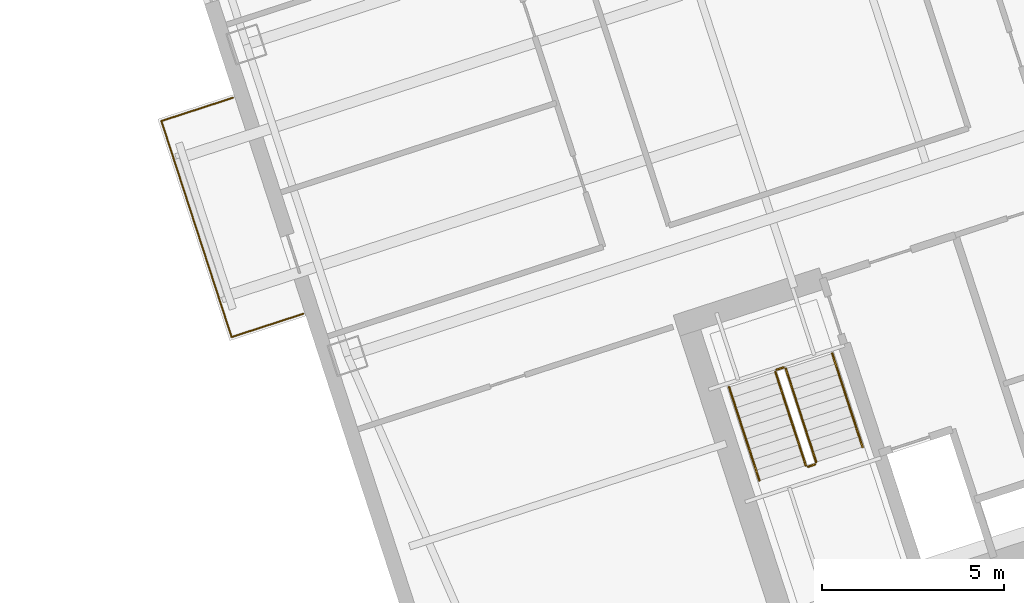
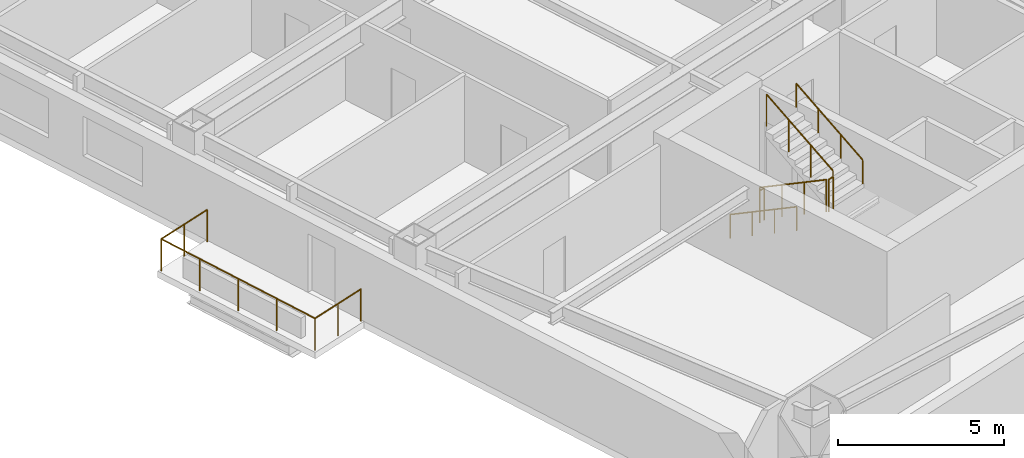
# One storey, part 13 of 14: 7 railings.
"""IFC4 building model written with IfcOpenShell, lengths in metres."""

from ifc_helpers import new_model, si_unit, direction, frame, origin, origin_2d, place, context, subcontext, project, spatial, circle, extrude, material, type_object, element, save


model = new_model("IFC4")

# Units and contexts
model_context = context("Model", 3, precision=1e-05, world=origin(), true_north=direction((0.0, 1.0)))
body_context = subcontext(model_context, "Body", "Model", "MODEL_VIEW")
ifc_project = project(units=[si_unit("LENGTHUNIT", "METRE"), si_unit("AREAUNIT", "SQUARE_METRE"), si_unit("VOLUMEUNIT", "CUBIC_METRE"), si_unit("PLANEANGLEUNIT", "RADIAN"), si_unit("MASSUNIT", "GRAM", prefix="KILO")], contexts=[model_context])

# Site, building, storey
site_placement = place(None, origin())
site = spatial("IfcSite", under=ifc_project, at=site_placement, CompositionType="ELEMENT")
building_placement = place(site_placement, origin())
building = spatial("IfcBuilding", under=site, at=building_placement, Name="Qiaolan Cultural Towers", CompositionType="ELEMENT")
storey_placement = place(building_placement, frame((0.0, 0.0, 103.5)))
storey = spatial("IfcBuildingStorey", under=building, at=storey_placement, Name="L26", CompositionType="ELEMENT", Elevation=103.5)

# Railings
ifc_material_1 = material(Name="Laminated SentryGlas & Stainless Steel S31608 Balustrade", Category="steel")
railing_type_1 = type_object("IfcRailingType", Name="GRD-TERR-1200", PredefinedType="BALUSTRADE", material=ifc_material_1)
railing_1_placement = place(storey_placement, frame((75.6328125, 21.4248046875, 0.0)))
element("IfcRailing", 1, at=railing_1_placement, inside=storey, type_object=railing_type_1, Name="L26 T2 Tree Balcony Guardrail W", PredefinedType="BALUSTRADE", context=body_context, shape_type="SweptSolid", body=[
    extrude(circle(Radius=0.02392578125, at=origin_2d()), frame((0.0, 0.0, 1.17578125), z_axis=(-0.951061799618, -0.309000733507, 0.0), x_axis=(0.309000733507, -0.951061799618, 0.0)), (0.0, 0.0, 1.0), 2.070068359375),
    extrude(circle(Radius=0.02392578125, at=origin_2d()), frame((-1.96875, -0.6396484375, 1.17578125), z_axis=(-0.30901175762, 0.951058217804, 0.0), x_axis=(-0.951058217804, -0.30901175762, 0.0)), (0.0, 0.0, 1.0), 6.239990234375),
    extrude(circle(Radius=0.02392578125, at=origin_2d()), frame((-3.89697265625, 5.294921875, 1.17578125), z_axis=(0.951061799618, 0.309000733507, 0.0), x_axis=(-0.309000733507, 0.951061799618, 0.0)), (0.0, 0.0, 1.0), 2.070068359375),
    extrude(circle(Radius=0.02099609375, at=origin_2d()), origin(), (0.0, 0.0, 1.0), 1.15185546875),
    extrude(circle(Radius=0.02099609375, at=origin_2d()), frame((-0.984375, -0.31982421875, 0.0)), (0.0, 0.0, 1.0), 1.15185546875),
    extrude(circle(Radius=0.02099609375, at=origin_2d()), frame((-1.96875, -0.6396484375, 0.0)), (0.0, 0.0, 1.0), 1.15185546875),
    extrude(circle(Radius=0.02099609375, at=origin_2d()), frame((-2.45068359375, 0.843994140625, 0.0)), (0.0, 0.0, 1.0), 1.15185546875),
    extrude(circle(Radius=0.02099609375, at=origin_2d()), frame((-2.932861328125, 2.32763671875, 0.0)), (0.0, 0.0, 1.0), 1.15185546875),
    extrude(circle(Radius=0.02099609375, at=origin_2d()), frame((-3.4150390625, 3.811279296875, 0.0)), (0.0, 0.0, 1.0), 1.15185546875),
    extrude(circle(Radius=0.02099609375, at=origin_2d()), frame((-3.89697265625, 5.294921875, 0.0)), (0.0, 0.0, 1.0), 1.15185546875),
    extrude(circle(Radius=0.02099609375, at=origin_2d()), frame((-2.91259765625, 5.61474609375, 0.0)), (0.0, 0.0, 1.0), 1.15185546875),
    extrude(circle(Radius=0.02099609375, at=origin_2d()), frame((-1.92822265625, 5.9345703125, 0.0)), (0.0, 0.0, 1.0), 1.15185546875),
])
ifc_material_2 = material(Name="Galvanized Painted Steel Stair Guardrail", Category="steel")
railing_type_2 = type_object("IfcRailingType", Name="RL-STAIR-GRD", PredefinedType="GUARDRAIL", material=ifc_material_2)
railing_2_placement = place(storey_placement, frame((88.60205078125, 19.82421875, 0.172607421875)))
element("IfcRailing", 2, at=railing_2_placement, inside=storey, type_object=railing_type_2, Name="L26 ST-E1 stair guard 1", PredefinedType="GUARDRAIL", context=body_context, shape_type="SweptSolid", body=[
    extrude(circle(Radius=0.02392578125, at=origin_2d()), frame((0.0, 0.0, 1.17578125), z_axis=(0.267925668498, -0.824471088726, 0.498460891159), x_axis=(0.951043371037, 0.309057448393, 0.0)), (0.0, 0.0, 1.0), 3.114501953125),
    extrude(circle(Radius=0.02099609375, at=origin_2d()), origin(), (0.0, 0.0, 1.0), 1.15185546875),
    extrude(circle(Radius=0.02099609375, at=origin_2d()), frame((0.278076171875, -0.85595703125, 0.517578125)), (0.0, 0.0, 1.0), 1.15185546875),
    extrude(circle(Radius=0.02099609375, at=origin_2d()), frame((0.556396484375, -1.7119140625, 1.034912109375)), (0.0, 0.0, 1.0), 1.15185546875),
    extrude(circle(Radius=0.02099609375, at=origin_2d()), frame((0.83447265625, -2.56787109375, 1.552490234375)), (0.0, 0.0, 1.0), 1.15185546875),
])
railing_3_placement = place(storey_placement, frame((89.49951171875, 17.224365234375, 1.72509765625)))
element("IfcRailing", 3, at=railing_3_placement, inside=storey, type_object=railing_type_2, Name="L26 ST-E1 stair guard 2", PredefinedType="GUARDRAIL", context=body_context, shape_type="SweptSolid", body=[
    extrude(circle(Radius=0.02392578125, at=origin_2d()), frame((0.0, 0.0, 1.17578125), z_axis=(0.951096855055, 0.308892816854, 0.0), x_axis=(-0.308892816854, 0.951096855055, 0.0)), (0.0, 0.0, 1.0), 0.199951171875),
    extrude(circle(Radius=0.02099609375, at=origin_2d()), origin(), (0.0, 0.0, 1.0), 1.15185546875),
    extrude(circle(Radius=0.02099609375, at=origin_2d()), frame((0.190185546875, 0.061767578125, 0.0)), (0.0, 0.0, 1.0), 1.15185546875),
])
railing_4_placement = place(storey_placement, frame((89.721923828125, 17.34912109375, 1.8974609375)))
element("IfcRailing", 4, at=railing_4_placement, inside=storey, type_object=railing_type_2, Name="L26 ST-E1 stair guard 3", PredefinedType="GUARDRAIL", context=body_context, shape_type="SweptSolid", body=[
    extrude(circle(Radius=0.02392578125, at=origin_2d()), frame((0.0, 0.0, 1.17578125), z_axis=(-0.267925668498, 0.824471088726, 0.498460891159), x_axis=(-0.951043371037, -0.309057448393, 0.0)), (0.0, 0.0, 1.0), 3.114501953125),
    extrude(circle(Radius=0.02099609375, at=origin_2d()), origin(), (0.0, 0.0, 1.0), 1.15185546875),
    extrude(circle(Radius=0.02099609375, at=origin_2d()), frame((-0.278076171875, 0.85595703125, 0.517578125)), (0.0, 0.0, 1.0), 1.15185546875),
    extrude(circle(Radius=0.02099609375, at=origin_2d()), frame((-0.556396484375, 1.7119140625, 1.034912109375)), (0.0, 0.0, 1.0), 1.15185546875),
    extrude(circle(Radius=0.02099609375, at=origin_2d()), frame((-0.83447265625, 2.56787109375, 1.552490234375)), (0.0, 0.0, 1.0), 1.15185546875),
])
railing_5_placement = place(storey_placement, frame((88.63427734375, 19.88720703125, 0.0)))
element("IfcRailing", 5, at=railing_5_placement, inside=storey, type_object=railing_type_2, Name="L26 ST-E1 stair guard 4", PredefinedType="GUARDRAIL", context=body_context, shape_type="SweptSolid", body=[
    extrude(circle(Radius=0.02392578125, at=origin_2d()), frame((0.0, 0.0, 1.17578125), z_axis=(0.951096855055, 0.308892816854, 0.0), x_axis=(-0.308892816854, 0.951096855055, 0.0)), (0.0, 0.0, 1.0), 0.199951171875),
    extrude(circle(Radius=0.02099609375, at=origin_2d()), origin(), (0.0, 0.0, 1.0), 1.15185546875),
    extrude(circle(Radius=0.02099609375, at=origin_2d()), frame((0.190185546875, 0.061767578125, 0.0)), (0.0, 0.0, 1.0), 1.15185546875),
])
ifc_material_3 = material(Name="Stainless Steel S30408 Tubular Handrail", Category="steel")
railing_type_3 = type_object("IfcRailingType", Name="RL-STAIR-HR", PredefinedType="HANDRAIL", material=ifc_material_3)
railing_6_placement = place(storey_placement, frame((87.32763671875, 19.41015625, 0.172607421875)))
element("IfcRailing", 6, at=railing_6_placement, inside=storey, type_object=railing_type_3, Name="L26 ST-E1 stair handrail 1", PredefinedType="HANDRAIL", context=body_context, shape_type="SweptSolid", body=[
    extrude(circle(Radius=0.02392578125, at=origin_2d()), frame((0.0, 0.0, 0.8759765625), z_axis=(0.267925668498, -0.824471088726, 0.498460891159), x_axis=(0.951043371037, 0.309057448393, 0.0)), (0.0, 0.0, 1.0), 3.114501953125),
    extrude(circle(Radius=0.02099609375, at=origin_2d()), origin(), (0.0, 0.0, 1.0), 0.851806640625),
    extrude(circle(Radius=0.02099609375, at=origin_2d()), frame((0.278076171875, -0.85595703125, 0.517578125)), (0.0, 0.0, 1.0), 0.851806640625),
    extrude(circle(Radius=0.02099609375, at=origin_2d()), frame((0.556396484375, -1.7119140625, 1.034912109375)), (0.0, 0.0, 1.0), 0.851806640625),
    extrude(circle(Radius=0.02099609375, at=origin_2d()), frame((0.83447265625, -2.56787109375, 1.552490234375)), (0.0, 0.0, 1.0), 0.851806640625),
])
railing_7_placement = place(storey_placement, frame((90.996337890625, 17.76318359375, 1.8974609375)))
element("IfcRailing", 7, at=railing_7_placement, inside=storey, type_object=railing_type_3, Name="L26 ST-E1 stair handrail 2", PredefinedType="HANDRAIL", context=body_context, shape_type="SweptSolid", body=[
    extrude(circle(Radius=0.02392578125, at=origin_2d()), frame((0.0, 0.0, 0.8759765625), z_axis=(-0.267925668498, 0.824471088726, 0.498460891159), x_axis=(-0.951043371037, -0.309057448393, 0.0)), (0.0, 0.0, 1.0), 3.114501953125),
    extrude(circle(Radius=0.02099609375, at=origin_2d()), origin(), (0.0, 0.0, 1.0), 0.851806640625),
    extrude(circle(Radius=0.02099609375, at=origin_2d()), frame((-0.278076171875, 0.85595703125, 0.517578125)), (0.0, 0.0, 1.0), 0.851806640625),
    extrude(circle(Radius=0.02099609375, at=origin_2d()), frame((-0.556396484375, 1.7119140625, 1.034912109375)), (0.0, 0.0, 1.0), 0.851806640625),
    extrude(circle(Radius=0.02099609375, at=origin_2d()), frame((-0.83447265625, 2.56787109375, 1.552490234375)), (0.0, 0.0, 1.0), 0.851806640625),
])

save(model, "model.ifc")
